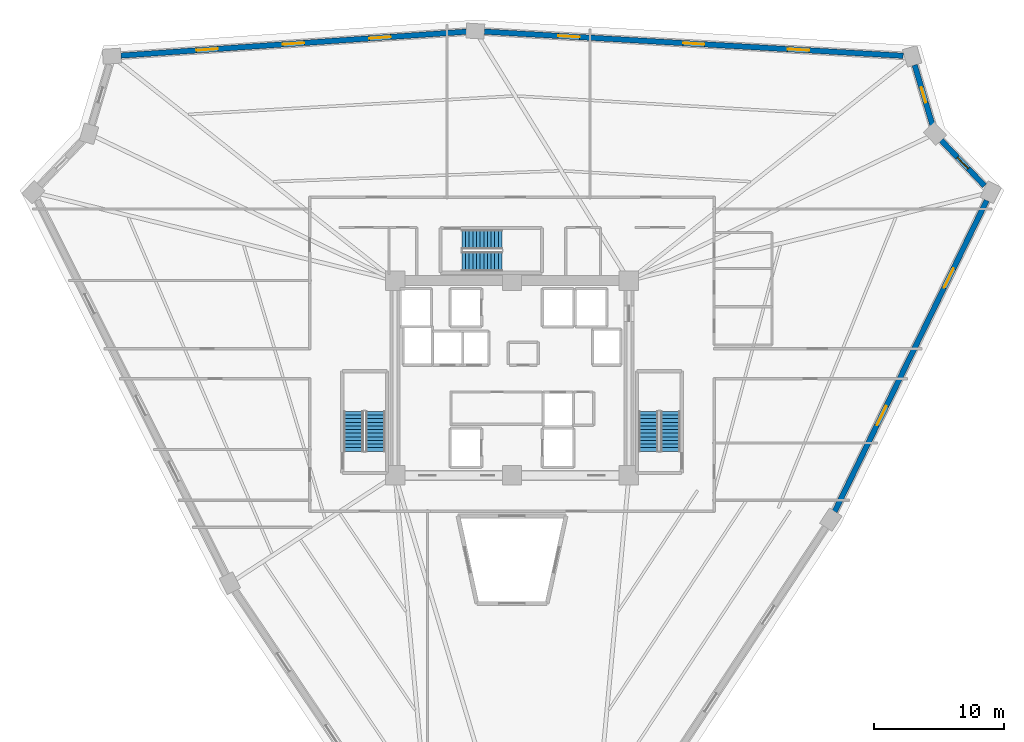
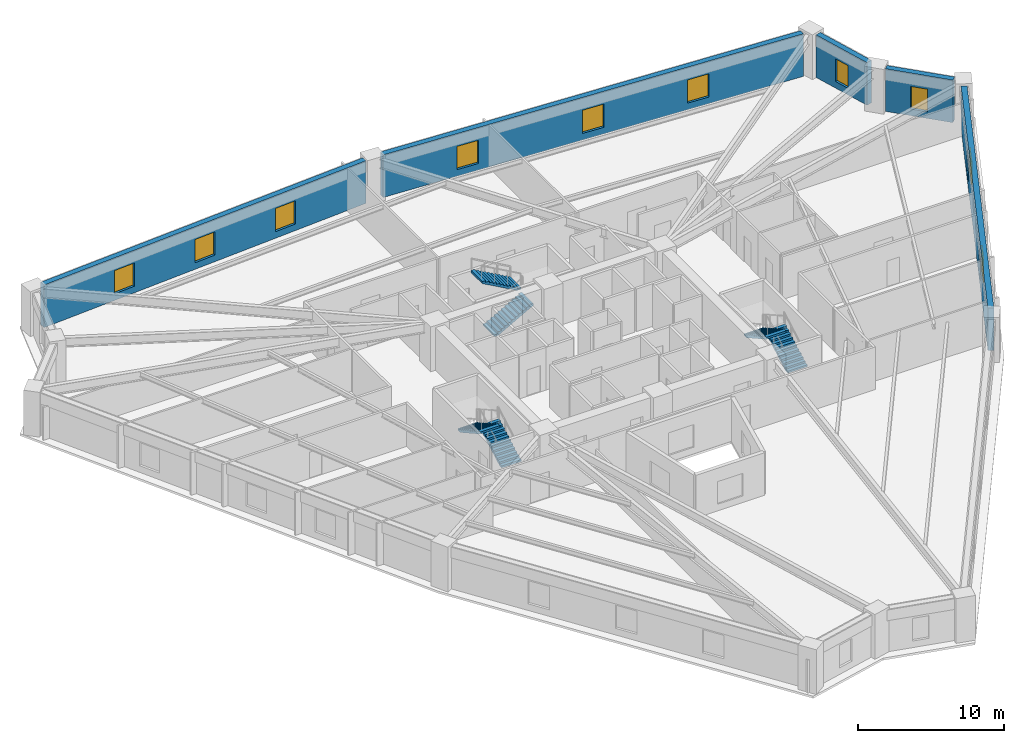
# One storey, part 7 of 8: 10 windows, 6 stair flights, 5 walls, 10 openings, 3 elements without a shape of their own.
"""IFC4 building model written with IfcOpenShell, lengths in metres."""

from ifc_helpers import new_model, si_unit, direction, frame, frame_2d, origin, place, context, subcontext, project, spatial, polyline, rectangle, outline, extrude, source, transform, mapped, material, layer, layer_set, type_object, element, fill, aggregate, save


model = new_model("IFC4")

# Units and contexts
model_context = context("Model", 3, precision=1e-05, world=origin(), true_north=direction((0.0, 1.0)))
body_context = subcontext(model_context, "Body", "Model", "MODEL_VIEW")
ifc_project = project(units=[si_unit("LENGTHUNIT", "METRE"), si_unit("AREAUNIT", "SQUARE_METRE"), si_unit("VOLUMEUNIT", "CUBIC_METRE"), si_unit("PLANEANGLEUNIT", "RADIAN"), si_unit("MASSUNIT", "GRAM", prefix="KILO")], contexts=[model_context])

# Site, building, storey
site_placement = place(None, origin())
site = spatial("IfcSite", under=ifc_project, at=site_placement, CompositionType="ELEMENT")
building_placement = place(site_placement, origin())
building = spatial("IfcBuilding", under=site, at=building_placement, Name="Liaohun Quay Tower", CompositionType="ELEMENT")
storey_placement = place(building_placement, frame((0.0, 0.0, 105.75)))
storey = spatial("IfcBuildingStorey", under=building, at=storey_placement, Name="L27", CompositionType="ELEMENT", Elevation=105.75)

# Wall, openings, windows
ifc_material_1 = material(Name="Precast concrete C50 insulated sandwich", Category="concrete")
ifc_layer = layer(ifc_material_1, 0.419921875, Name="Precast concrete C50 insulated sandwich", Category="concrete")
ifc_layer_set = layer_set([ifc_layer], Name="Precast concrete C50 insulated sandwich")
wall_type = type_object("IfcWallType", Name="WAL-EXT-Z12", PredefinedType="SOLIDWALL", material=ifc_layer_set)
wall_1_placement = place(storey_placement, frame((84.8359375, 43.718017578125, 0.0), z_axis=(0.0, 0.0, 1.0), x_axis=(0.439006754844, 0.898483761234, 0.0)))
wall_1 = element("IfcWall", 1, at=wall_1_placement, inside=storey, type_object=wall_type, Name="L27 Brutalist Precast Pier Wall 03", PredefinedType="SOLIDWALL", context=body_context, shape_type="SweptSolid", body=[
    extrude(rectangle(XDim=26.656005859375, YDim=0.419921875, at=frame_2d((13.328125, 0.0))), origin(), (0.0, 0.0, 1.0), 3.570068359375),
])
shared_shape_1 = source(origin(), body_context, "Body", "SweptSolid", [
    extrude(rectangle(XDim=1.64990234375, YDim=1.949951171875, at=frame_2d((0.824951171875, 0.97509765625))), frame((0.0, 0.219970703125, 0.0), z_axis=(0.0, -1.0, 0.0), x_axis=(1.0, 0.0, 0.0)), (0.0, 0.0, 1.0), 0.43994140625),
])
opening_1_placement = place(wall_1_placement, frame((7.388916015625, 0.0, 0.550048828125)))
opening_1 = element("IfcOpeningElement", 2, at=opening_1_placement, cuts=wall_1, Name="Opening W02", PredefinedType="OPENING", context=body_context, shape_type="MappedRepresentation", body=[
    mapped(shared_shape_1, transform((0.0, 0.0, 0.0), x_axis=(1.0, 0.0, 0.0), y_axis=(0.0, 1.0, 0.0), z_axis=(0.0, 0.0, 1.0), scale=1.0)),
])
opening_2_placement = place(wall_1_placement, frame((19.1669921875, 0.0, 0.550048828125)))
opening_2 = element("IfcOpeningElement", 3, at=opening_2_placement, cuts=wall_1, Name="Opening W02", PredefinedType="OPENING", context=body_context, shape_type="MappedRepresentation", body=[
    mapped(shared_shape_1, transform((0.0, 0.0, 0.0), x_axis=(1.0, 0.0, 0.0), y_axis=(0.0, 1.0, 0.0), z_axis=(0.0, 0.0, 1.0), scale=1.0)),
])
ifc_material_2 = material(Name="Triple Low-E argon glazing in thermally broken aluminium", Category="aluminium")
window_type_1 = type_object("IfcWindowType", Name="WIN-PUN-Z2", PartitioningType="DOUBLE_PANEL_VERTICAL", PredefinedType="WINDOW", material=ifc_material_2)
shared_shape_2 = source(origin(), body_context, "Body", "SweptSolid", [
    extrude(rectangle(XDim=1.64990234375, YDim=1.949951171875, at=frame_2d((0.824951171875, 0.97509765625))), frame((0.0, 0.030029296875, 0.0), z_axis=(0.0, -1.0, 0.0), x_axis=(1.0, 0.0, 0.0)), (0.0, 0.0, 1.0), 0.06005859375),
])
window_1_placement = place(opening_1_placement, origin())
window_1 = element("IfcWindow", 4, at=window_1_placement, inside=storey, type_object=window_type_1, Name="L27 Recessed Cold-Climate Punched Window 03-1", OverallHeight=1.949951171875, OverallWidth=1.64990234375, PartitioningType="DOUBLE_PANEL_VERTICAL", PredefinedType="WINDOW", context=body_context, shape_type="MappedRepresentation", body=[
    mapped(shared_shape_2, transform((0.0, 0.0, 0.0), x_axis=(1.0, 0.0, 0.0), y_axis=(0.0, 1.0, 0.0), z_axis=(0.0, 0.0, 1.0), scale=1.0)),
])
fill(opening_1, window_1)
window_2_placement = place(opening_2_placement, origin())
window_2 = element("IfcWindow", 5, at=window_2_placement, inside=storey, type_object=window_type_1, Name="L27 Recessed Cold-Climate Punched Window 03-3", OverallHeight=1.949951171875, OverallWidth=1.64990234375, PartitioningType="DOUBLE_PANEL_VERTICAL", PredefinedType="WINDOW", context=body_context, shape_type="MappedRepresentation", body=[
    mapped(shared_shape_2, transform((0.0, 0.0, 0.0), x_axis=(1.0, 0.0, 0.0), y_axis=(0.0, 1.0, 0.0), z_axis=(0.0, 0.0, 1.0), scale=1.0)),
])
fill(opening_2, window_2)

# Wall, opening, window
wall_2_placement = place(storey_placement, frame((96.364990234375, 68.7880859375, 0.0), z_axis=(0.0, 0.0, 1.0), x_axis=(-0.68933261552, 0.724444991135, 0.0)))
wall_2 = element("IfcWall", 6, at=wall_2_placement, inside=storey, type_object=wall_type, Name="L27 Brutalist Precast Pier Wall 04", PredefinedType="SOLIDWALL", context=body_context, shape_type="SweptSolid", body=[
    extrude(rectangle(XDim=4.83935546875, YDim=0.419921875, at=frame_2d((2.419677734375, 0.0))), origin(), (0.0, 0.0, 1.0), 3.570068359375),
])
shared_shape_3 = source(origin(), body_context, "Body", "SweptSolid", [
    extrude(rectangle(XDim=1.199951171875, YDim=1.89990234375, at=frame_2d((0.60009765625, 0.949951171875))), frame((0.0, 0.219970703125, 0.0), z_axis=(0.0, -1.0, 0.0), x_axis=(1.0, 0.0, 0.0)), (0.0, 0.0, 1.0), 0.43994140625),
])
opening_3_placement = place(wall_2_placement, frame((1.820068359375, 0.0, 0.550048828125)))
opening_3 = element("IfcOpeningElement", 7, at=opening_3_placement, cuts=wall_2, Name="Opening W05", PredefinedType="OPENING", context=body_context, shape_type="MappedRepresentation", body=[
    mapped(shared_shape_3, transform((0.0, 0.0, 0.0), x_axis=(1.0, 0.0, 0.0), y_axis=(0.0, 1.0, 0.0), z_axis=(0.0, 0.0, 1.0), scale=1.0)),
])
ifc_material_3 = material(Name="Triple Low-E corner notch glazing", Category="glass")
window_type_2 = type_object("IfcWindowType", Name="WIN-NOTCH", PartitioningType="SINGLE_PANEL", PredefinedType="WINDOW", material=ifc_material_3)
shared_shape_4 = source(origin(), body_context, "Body", "SweptSolid", [
    extrude(rectangle(XDim=1.199951171875, YDim=1.89990234375, at=frame_2d((0.60009765625, 0.949951171875))), frame((0.0, 0.030029296875, 0.0), z_axis=(0.0, -1.0, 0.0), x_axis=(1.0, 0.0, 0.0)), (0.0, 0.0, 1.0), 0.06005859375),
])
window_3_placement = place(opening_3_placement, origin())
window_3 = element("IfcWindow", 8, at=window_3_placement, inside=storey, type_object=window_type_2, Name="L27 Corner Notch Window W05-04", OverallHeight=1.89990234375, OverallWidth=1.199951171875, PartitioningType="SINGLE_PANEL", PredefinedType="WINDOW", context=body_context, shape_type="MappedRepresentation", body=[
    mapped(shared_shape_4, transform((0.0, 0.0, 0.0), x_axis=(1.0, 0.0, 0.0), y_axis=(0.0, 1.0, 0.0), z_axis=(0.0, 0.0, 1.0), scale=1.0)),
])
fill(opening_3, window_3)

wall_3_placement = place(storey_placement, frame((92.35791015625, 73.4560546875, 0.0), z_axis=(0.0, 0.0, 1.0), x_axis=(-0.282817124876, 0.959173849663, 0.0)))
wall_3 = element("IfcWall", 9, at=wall_3_placement, inside=storey, type_object=wall_type, Name="L27 Brutalist Precast Pier Wall 05", PredefinedType="SOLIDWALL", context=body_context, shape_type="SweptSolid", body=[
    extrude(rectangle(XDim=4.833251953125, YDim=0.419921875, at=frame_2d((2.41650390625, 0.0))), origin(), (0.0, 0.0, 1.0), 3.570068359375),
])
opening_4_placement = place(wall_3_placement, frame((1.81689453125, 0.0, 0.550048828125)))
opening_4 = element("IfcOpeningElement", 10, at=opening_4_placement, cuts=wall_3, Name="Opening W05", PredefinedType="OPENING", context=body_context, shape_type="MappedRepresentation", body=[
    mapped(shared_shape_3, transform((0.0, 0.0, 0.0), x_axis=(1.0, 0.0, 0.0), y_axis=(0.0, 1.0, 0.0), z_axis=(0.0, 0.0, 1.0), scale=1.0)),
])
window_4_placement = place(opening_4_placement, origin())
window_4 = element("IfcWindow", 11, at=window_4_placement, inside=storey, type_object=window_type_2, Name="L27 Corner Notch Window W05-05", OverallHeight=1.89990234375, OverallWidth=1.199951171875, PartitioningType="SINGLE_PANEL", PredefinedType="WINDOW", context=body_context, shape_type="MappedRepresentation", body=[
    mapped(shared_shape_4, transform((0.0, 0.0, 0.0), x_axis=(1.0, 0.0, 0.0), y_axis=(0.0, 1.0, 0.0), z_axis=(0.0, 0.0, 1.0), scale=1.0)),
])
fill(opening_4, window_4)

# Wall, openings, windows
wall_4_placement = place(storey_placement, frame((90.10693359375, 78.7939453125, 0.0), z_axis=(0.0, 0.0, 1.0), x_axis=(-0.998334830413, 0.057685062058, 0.0)))
wall_4 = element("IfcWall", 12, at=wall_4_placement, inside=storey, type_object=wall_type, Name="L27 Brutalist Precast Pier Wall 06", PredefinedType="SOLIDWALL", context=body_context, shape_type="SweptSolid", body=[
    extrude(rectangle(XDim=32.296630859375, YDim=0.419921875, at=frame_2d((16.1484375, 0.0))), origin(), (0.0, 0.0, 1.0), 3.570068359375),
])
opening_5_placement = place(wall_4_placement, frame((7.2490234375, 0.0, 0.550048828125)))
opening_5 = element("IfcOpeningElement", 13, at=opening_5_placement, cuts=wall_4, Name="Opening W02", PredefinedType="OPENING", context=body_context, shape_type="MappedRepresentation", body=[
    mapped(shared_shape_1, transform((0.0, 0.0, 0.0), x_axis=(1.0, 0.0, 0.0), y_axis=(0.0, 1.0, 0.0), z_axis=(0.0, 0.0, 1.0), scale=1.0)),
])
opening_6_placement = place(wall_4_placement, frame((15.322998046875, 0.0, 0.550048828125)))
opening_6 = element("IfcOpeningElement", 14, at=opening_6_placement, cuts=wall_4, Name="Opening W02", PredefinedType="OPENING", context=body_context, shape_type="MappedRepresentation", body=[
    mapped(shared_shape_1, transform((0.0, 0.0, 0.0), x_axis=(1.0, 0.0, 0.0), y_axis=(0.0, 1.0, 0.0), z_axis=(0.0, 0.0, 1.0), scale=1.0)),
])
opening_7_placement = place(wall_4_placement, frame((24.947998046875, 0.0, 0.550048828125)))
opening_7 = element("IfcOpeningElement", 15, at=opening_7_placement, cuts=wall_4, Name="Opening W02", PredefinedType="OPENING", context=body_context, shape_type="MappedRepresentation", body=[
    mapped(shared_shape_1, transform((0.0, 0.0, 0.0), x_axis=(1.0, 0.0, 0.0), y_axis=(0.0, 1.0, 0.0), z_axis=(0.0, 0.0, 1.0), scale=1.0)),
])
window_5_placement = place(opening_5_placement, origin())
window_5 = element("IfcWindow", 16, at=window_5_placement, inside=storey, type_object=window_type_1, Name="L27 Recessed Cold-Climate Punched Window 06-1", OverallHeight=1.949951171875, OverallWidth=1.64990234375, PartitioningType="DOUBLE_PANEL_VERTICAL", PredefinedType="WINDOW", context=body_context, shape_type="MappedRepresentation", body=[
    mapped(shared_shape_2, transform((0.0, 0.0, 0.0), x_axis=(1.0, 0.0, 0.0), y_axis=(0.0, 1.0, 0.0), z_axis=(0.0, 0.0, 1.0), scale=1.0)),
])
fill(opening_5, window_5)
window_6_placement = place(opening_6_placement, origin())
window_6 = element("IfcWindow", 17, at=window_6_placement, inside=storey, type_object=window_type_1, Name="L27 Recessed Cold-Climate Punched Window 06-2", OverallHeight=1.949951171875, OverallWidth=1.64990234375, PartitioningType="DOUBLE_PANEL_VERTICAL", PredefinedType="WINDOW", context=body_context, shape_type="MappedRepresentation", body=[
    mapped(shared_shape_2, transform((0.0, 0.0, 0.0), x_axis=(1.0, 0.0, 0.0), y_axis=(0.0, 1.0, 0.0), z_axis=(0.0, 0.0, 1.0), scale=1.0)),
])
fill(opening_6, window_6)
window_7_placement = place(opening_7_placement, origin())
window_7 = element("IfcWindow", 18, at=window_7_placement, inside=storey, type_object=window_type_1, Name="L27 Recessed Cold-Climate Punched Window 06-3", OverallHeight=1.949951171875, OverallWidth=1.64990234375, PartitioningType="DOUBLE_PANEL_VERTICAL", PredefinedType="WINDOW", context=body_context, shape_type="MappedRepresentation", body=[
    mapped(shared_shape_2, transform((0.0, 0.0, 0.0), x_axis=(1.0, 0.0, 0.0), y_axis=(0.0, 1.0, 0.0), z_axis=(0.0, 0.0, 1.0), scale=1.0)),
])
fill(opening_7, window_7)

wall_5_placement = place(storey_placement, frame((56.487060546875, 80.64892578125, 0.0), z_axis=(0.0, 0.0, 1.0), x_axis=(-0.997615260402, -0.069020230456, 0.0)))
wall_5 = element("IfcWall", 19, at=wall_5_placement, inside=storey, type_object=wall_type, Name="L27 Brutalist Precast Pier Wall 07", PredefinedType="SOLIDWALL", context=body_context, shape_type="SweptSolid", body=[
    extrude(rectangle(XDim=26.656494140625, YDim=0.419921875, at=frame_2d((13.328125, 0.0))), origin(), (0.0, 0.0, 1.0), 3.570068359375),
])
opening_8_placement = place(wall_5_placement, frame((5.839111328125, 0.0, 0.550048828125)))
opening_8 = element("IfcOpeningElement", 20, at=opening_8_placement, cuts=wall_5, Name="Opening W02", PredefinedType="OPENING", context=body_context, shape_type="MappedRepresentation", body=[
    mapped(shared_shape_1, transform((0.0, 0.0, 0.0), x_axis=(1.0, 0.0, 0.0), y_axis=(0.0, 1.0, 0.0), z_axis=(0.0, 0.0, 1.0), scale=1.0)),
])
opening_9_placement = place(wall_5_placement, frame((12.5029296875, 0.0, 0.550048828125)))
opening_9 = element("IfcOpeningElement", 21, at=opening_9_placement, cuts=wall_5, Name="Opening W02", PredefinedType="OPENING", context=body_context, shape_type="MappedRepresentation", body=[
    mapped(shared_shape_1, transform((0.0, 0.0, 0.0), x_axis=(1.0, 0.0, 0.0), y_axis=(0.0, 1.0, 0.0), z_axis=(0.0, 0.0, 1.0), scale=1.0)),
])
opening_10_placement = place(wall_5_placement, frame((19.1669921875, 0.0, 0.550048828125)))
opening_10 = element("IfcOpeningElement", 22, at=opening_10_placement, cuts=wall_5, Name="Opening W02", PredefinedType="OPENING", context=body_context, shape_type="MappedRepresentation", body=[
    mapped(shared_shape_1, transform((0.0, 0.0, 0.0), x_axis=(1.0, 0.0, 0.0), y_axis=(0.0, 1.0, 0.0), z_axis=(0.0, 0.0, 1.0), scale=1.0)),
])
window_8_placement = place(opening_8_placement, origin())
window_8 = element("IfcWindow", 23, at=window_8_placement, inside=storey, type_object=window_type_1, Name="L27 Recessed Cold-Climate Punched Window 07-1", OverallHeight=1.949951171875, OverallWidth=1.64990234375, PartitioningType="DOUBLE_PANEL_VERTICAL", PredefinedType="WINDOW", context=body_context, shape_type="MappedRepresentation", body=[
    mapped(shared_shape_2, transform((0.0, 0.0, 0.0), x_axis=(1.0, 0.0, 0.0), y_axis=(0.0, 1.0, 0.0), z_axis=(0.0, 0.0, 1.0), scale=1.0)),
])
fill(opening_8, window_8)
window_9_placement = place(opening_9_placement, origin())
window_9 = element("IfcWindow", 24, at=window_9_placement, inside=storey, type_object=window_type_1, Name="L27 Recessed Cold-Climate Punched Window 07-2", OverallHeight=1.949951171875, OverallWidth=1.64990234375, PartitioningType="DOUBLE_PANEL_VERTICAL", PredefinedType="WINDOW", context=body_context, shape_type="MappedRepresentation", body=[
    mapped(shared_shape_2, transform((0.0, 0.0, 0.0), x_axis=(1.0, 0.0, 0.0), y_axis=(0.0, 1.0, 0.0), z_axis=(0.0, 0.0, 1.0), scale=1.0)),
])
fill(opening_9, window_9)
window_10_placement = place(opening_10_placement, origin())
window_10 = element("IfcWindow", 25, at=window_10_placement, inside=storey, type_object=window_type_1, Name="L27 Recessed Cold-Climate Punched Window 07-3", OverallHeight=1.949951171875, OverallWidth=1.64990234375, PartitioningType="DOUBLE_PANEL_VERTICAL", PredefinedType="WINDOW", context=body_context, shape_type="MappedRepresentation", body=[
    mapped(shared_shape_2, transform((0.0, 0.0, 0.0), x_axis=(1.0, 0.0, 0.0), y_axis=(0.0, 1.0, 0.0), z_axis=(0.0, 0.0, 1.0), scale=1.0)),
])
fill(opening_10, window_10)

# Stair, stair flights
ifc_material_4 = material(Name="Concrete C45", Category="concrete")
stair_type = type_object("IfcStairType", Name="STR-CORE-OFF", PredefinedType="HALF_TURN_STAIR", material=ifc_material_4)
stair_1_placement = place(storey_placement, origin())
stair_1 = element("IfcStair", 26, at=stair_1_placement, inside=storey, type_object=stair_type, Name="L27 Smokeproof Core Exit Stair ST-1", PredefinedType="HALF_TURN_STAIR")
stair_flight_type = type_object("IfcStairFlightType", Name="FLT-CORE-155", PredefinedType="STRAIGHT", material=ifc_material_4)
stair_flight_1_placement = place(storey_placement, frame((49.5048828125, 48.35009765625, 0.0), z_axis=(0.0, 0.0, 1.0), x_axis=(0.0, 1.0, 0.0)))
stair_flight_1 = element("IfcStairFlight", 27, at=stair_flight_1_placement, type_object=stair_flight_type, Name="ST-1 flight 1", NumberOfRisers=12, NumberOfTreads=11, PredefinedType="STRAIGHT", RiserHeight=0.15625, TreadLength=0.28, context=body_context, shape_type="SweptSolid", body=[
    extrude(outline(polyline([(0.0, 0.0), (0.0, 0.15625), (0.280029296875, 0.15625), (0.280029296875, 0.3125), (0.56005859375, 0.3125), (0.56005859375, 0.46875), (0.840087890625, 0.46875), (0.840087890625, 0.625), (1.1201171875, 0.625), (1.1201171875, 0.78125), (1.39990234375, 0.78125), (1.39990234375, 0.9375), (1.679931640625, 0.9375), (1.679931640625, 1.09375), (1.9599609375, 1.09375), (1.9599609375, 1.25), (2.239990234375, 1.25), (2.239990234375, 1.40625), (2.52001953125, 1.40625), (2.52001953125, 1.5625), (2.800048828125, 1.5625), (2.800048828125, 1.71875), (3.080078125, 1.71875), (3.080078125, 1.875), (3.080078125, 1.547119140625), (0.3076171875, 0.0), (0.0, 0.0)])), frame((0.0, 0.77490234375, 0.0), z_axis=(0.0, -1.0, 0.0), x_axis=(1.0, 0.0, 0.0)), (0.0, 0.0, 1.0), 1.550048828125),
])
stair_flight_2_placement = place(storey_placement, frame((47.81494140625, 51.429931640625, 1.875), z_axis=(0.0, 0.0, 1.0), x_axis=(0.0, -1.0, 0.0)))
stair_flight_2 = element("IfcStairFlight", 28, at=stair_flight_2_placement, type_object=stair_flight_type, Name="ST-1 flight 2", NumberOfRisers=12, NumberOfTreads=11, PredefinedType="STRAIGHT", RiserHeight=0.15625, TreadLength=0.28, context=body_context, shape_type="SweptSolid", body=[
    extrude(outline(polyline([(0.0, 0.0), (0.0, 0.15625), (0.280029296875, 0.15625), (0.280029296875, 0.3125), (0.56005859375, 0.3125), (0.56005859375, 0.46875), (0.840087890625, 0.46875), (0.840087890625, 0.625), (1.1201171875, 0.625), (1.1201171875, 0.78125), (1.39990234375, 0.78125), (1.39990234375, 0.9375), (1.679931640625, 0.9375), (1.679931640625, 1.09375), (1.9599609375, 1.09375), (1.9599609375, 1.25), (2.239990234375, 1.25), (2.239990234375, 1.40625), (2.52001953125, 1.40625), (2.52001953125, 1.5625), (2.800048828125, 1.5625), (2.800048828125, 1.71875), (3.080078125, 1.71875), (3.080078125, 1.875), (3.080078125, 1.547119140625), (0.3076171875, 0.0), (0.0, 0.0)])), frame((0.0, 0.77490234375, 0.0), z_axis=(0.0, -1.0, 0.0), x_axis=(1.0, 0.0, 0.0)), (0.0, 0.0, 1.0), 1.550048828125),
])
aggregate(stair_1, [stair_flight_1, stair_flight_2])

stair_2_placement = place(storey_placement, origin())
stair_2 = element("IfcStair", 29, at=stair_2_placement, inside=storey, type_object=stair_type, Name="L27 Smokeproof Core Exit Stair ST-2", PredefinedType="HALF_TURN_STAIR")
stair_flight_3_placement = place(storey_placement, frame((72.18505859375, 48.35009765625, 0.0), z_axis=(0.0, 0.0, 1.0), x_axis=(0.0, 1.0, 0.0)))
stair_flight_3 = element("IfcStairFlight", 30, at=stair_flight_3_placement, type_object=stair_flight_type, Name="ST-2 flight 1", NumberOfRisers=12, NumberOfTreads=11, PredefinedType="STRAIGHT", RiserHeight=0.15625, TreadLength=0.28, context=body_context, shape_type="SweptSolid", body=[
    extrude(outline(polyline([(0.0, 0.0), (0.0, 0.15625), (0.280029296875, 0.15625), (0.280029296875, 0.3125), (0.56005859375, 0.3125), (0.56005859375, 0.46875), (0.840087890625, 0.46875), (0.840087890625, 0.625), (1.1201171875, 0.625), (1.1201171875, 0.78125), (1.39990234375, 0.78125), (1.39990234375, 0.9375), (1.679931640625, 0.9375), (1.679931640625, 1.09375), (1.9599609375, 1.09375), (1.9599609375, 1.25), (2.239990234375, 1.25), (2.239990234375, 1.40625), (2.52001953125, 1.40625), (2.52001953125, 1.5625), (2.800048828125, 1.5625), (2.800048828125, 1.71875), (3.080078125, 1.71875), (3.080078125, 1.875), (3.080078125, 1.547119140625), (0.3076171875, 0.0), (0.0, 0.0)])), frame((0.0, 0.77490234375, 0.0), z_axis=(0.0, -1.0, 0.0), x_axis=(1.0, 0.0, 0.0)), (0.0, 0.0, 1.0), 1.550048828125),
])
stair_flight_4_placement = place(storey_placement, frame((70.4951171875, 51.429931640625, 1.875), z_axis=(0.0, 0.0, 1.0), x_axis=(0.0, -1.0, 0.0)))
stair_flight_4 = element("IfcStairFlight", 31, at=stair_flight_4_placement, type_object=stair_flight_type, Name="ST-2 flight 2", NumberOfRisers=12, NumberOfTreads=11, PredefinedType="STRAIGHT", RiserHeight=0.15625, TreadLength=0.28, context=body_context, shape_type="SweptSolid", body=[
    extrude(outline(polyline([(0.0, 0.0), (0.0, 0.15625), (0.280029296875, 0.15625), (0.280029296875, 0.3125), (0.56005859375, 0.3125), (0.56005859375, 0.46875), (0.840087890625, 0.46875), (0.840087890625, 0.625), (1.1201171875, 0.625), (1.1201171875, 0.78125), (1.39990234375, 0.78125), (1.39990234375, 0.9375), (1.679931640625, 0.9375), (1.679931640625, 1.09375), (1.9599609375, 1.09375), (1.9599609375, 1.25), (2.239990234375, 1.25), (2.239990234375, 1.40625), (2.52001953125, 1.40625), (2.52001953125, 1.5625), (2.800048828125, 1.5625), (2.800048828125, 1.71875), (3.080078125, 1.71875), (3.080078125, 1.875), (3.080078125, 1.547119140625), (0.3076171875, 0.0), (0.0, 0.0)])), frame((0.0, 0.77490234375, 0.0), z_axis=(0.0, -1.0, 0.0), x_axis=(1.0, 0.0, 0.0)), (0.0, 0.0, 1.0), 1.550048828125),
])
aggregate(stair_2, [stair_flight_3, stair_flight_4])

stair_3_placement = place(storey_placement, origin())
stair_3 = element("IfcStair", 32, at=stair_3_placement, inside=storey, type_object=stair_type, Name="L27 Smokeproof Core Exit Stair ST-3", PredefinedType="HALF_TURN_STAIR")
stair_flight_5_placement = place(storey_placement, frame((56.14990234375, 62.97509765625, 0.0), z_axis=(0.0, 0.0, 1.0), x_axis=(1.0, 0.0, 0.0)))
stair_flight_5 = element("IfcStairFlight", 33, at=stair_flight_5_placement, type_object=stair_flight_type, Name="ST-3 flight 1", NumberOfRisers=12, NumberOfTreads=11, PredefinedType="STRAIGHT", RiserHeight=0.15625, TreadLength=0.28, context=body_context, shape_type="SweptSolid", body=[
    extrude(outline(polyline([(0.0, 0.0), (0.0, 0.15625), (0.280029296875, 0.15625), (0.280029296875, 0.3125), (0.56005859375, 0.3125), (0.56005859375, 0.46875), (0.840087890625, 0.46875), (0.840087890625, 0.625), (1.1201171875, 0.625), (1.1201171875, 0.78125), (1.39990234375, 0.78125), (1.39990234375, 0.9375), (1.679931640625, 0.9375), (1.679931640625, 1.09375), (1.9599609375, 1.09375), (1.9599609375, 1.25), (2.239990234375, 1.25), (2.239990234375, 1.40625), (2.52001953125, 1.40625), (2.52001953125, 1.5625), (2.800048828125, 1.5625), (2.800048828125, 1.71875), (3.080078125, 1.71875), (3.080078125, 1.875), (3.080078125, 1.547119140625), (0.3076171875, 0.0), (0.0, 0.0)])), frame((0.0, 0.77490234375, 0.0), z_axis=(0.0, -1.0, 0.0), x_axis=(1.0, 0.0, 0.0)), (0.0, 0.0, 1.0), 1.550048828125),
])
stair_flight_6_placement = place(storey_placement, frame((59.22998046875, 64.6650390625, 1.875), z_axis=(0.0, 0.0, 1.0), x_axis=(-1.0, 0.0, 0.0)))
stair_flight_6 = element("IfcStairFlight", 34, at=stair_flight_6_placement, type_object=stair_flight_type, Name="ST-3 flight 2", NumberOfRisers=12, NumberOfTreads=11, PredefinedType="STRAIGHT", RiserHeight=0.15625, TreadLength=0.28, context=body_context, shape_type="SweptSolid", body=[
    extrude(outline(polyline([(0.0, 0.0), (0.0, 0.15625), (0.280029296875, 0.15625), (0.280029296875, 0.3125), (0.56005859375, 0.3125), (0.56005859375, 0.46875), (0.840087890625, 0.46875), (0.840087890625, 0.625), (1.1201171875, 0.625), (1.1201171875, 0.78125), (1.39990234375, 0.78125), (1.39990234375, 0.9375), (1.679931640625, 0.9375), (1.679931640625, 1.09375), (1.9599609375, 1.09375), (1.9599609375, 1.25), (2.239990234375, 1.25), (2.239990234375, 1.40625), (2.52001953125, 1.40625), (2.52001953125, 1.5625), (2.800048828125, 1.5625), (2.800048828125, 1.71875), (3.080078125, 1.71875), (3.080078125, 1.875), (3.080078125, 1.547119140625), (0.3076171875, 0.0), (0.0, 0.0)])), frame((0.0, 0.77490234375, 0.0), z_axis=(0.0, -1.0, 0.0), x_axis=(1.0, 0.0, 0.0)), (0.0, 0.0, 1.0), 1.550048828125),
])
aggregate(stair_3, [stair_flight_5, stair_flight_6])

save(model, "model.ifc")
